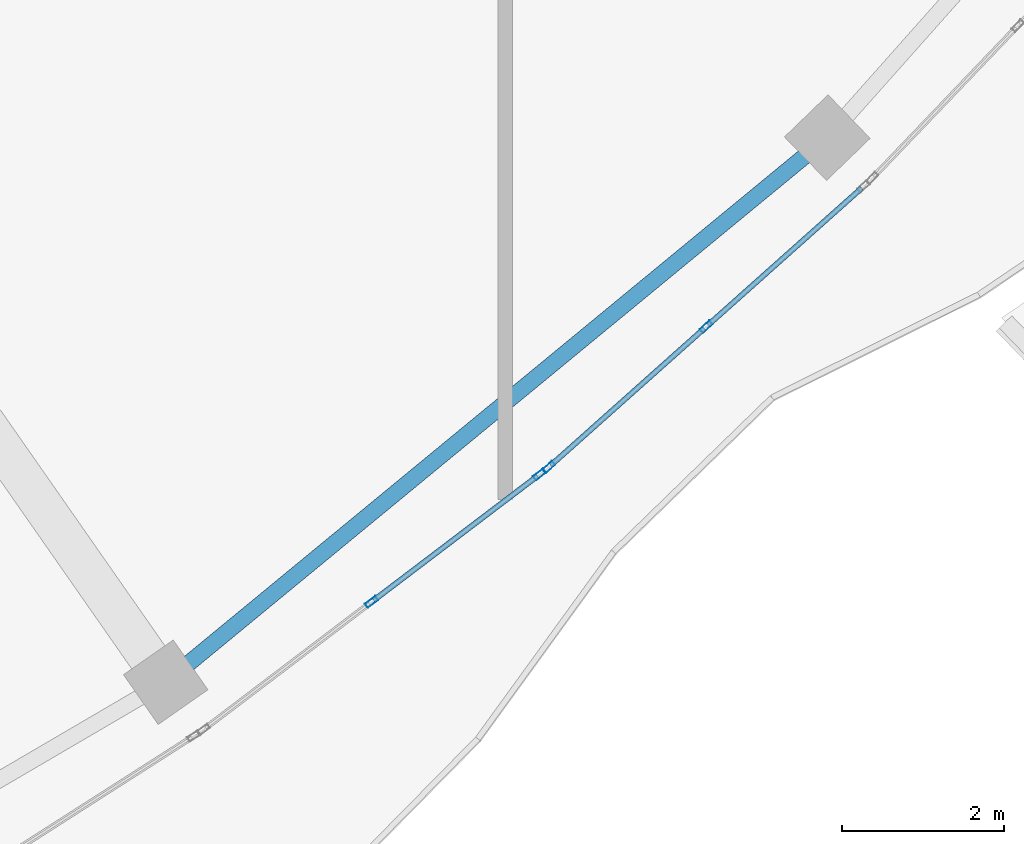
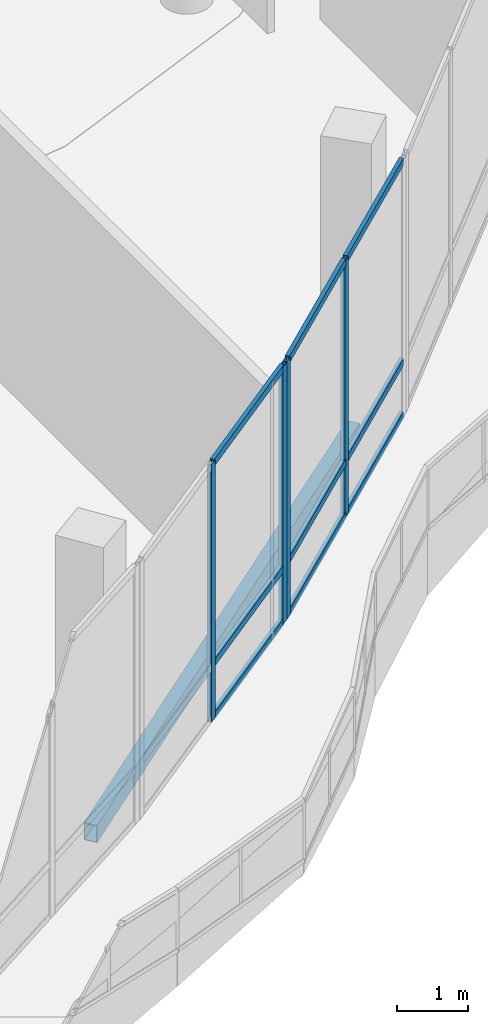
# One storey, part 50 of 168: 13 members, 1 beam, 2 elements without a shape of their own.
"""IFC4 building model written with IfcOpenShell, lengths in metres."""

from ifc_helpers import new_model, si_unit, direction, frame, origin, origin_2d, place, context, subcontext, project, spatial, hollow_rectangle, extrude, material, material_profile, profile_set, type_object, element, aggregate, save


model = new_model("IFC4")

# Units and contexts
model_context = context("Model", 3, precision=1e-05, world=origin(), true_north=direction((0.0, 1.0)))
body_context = subcontext(model_context, "Body", "Model", "MODEL_VIEW")
ifc_project = project(units=[si_unit("LENGTHUNIT", "METRE"), si_unit("AREAUNIT", "SQUARE_METRE"), si_unit("VOLUMEUNIT", "CUBIC_METRE"), si_unit("PLANEANGLEUNIT", "RADIAN"), si_unit("MASSUNIT", "GRAM", prefix="KILO")], contexts=[model_context])

# Site, building, storey
site_placement = place(None, origin())
site = spatial("IfcSite", under=ifc_project, at=site_placement, CompositionType="ELEMENT")
building_placement = place(site_placement, origin())
building = spatial("IfcBuilding", under=site, at=building_placement, Name="Selatvlak General Hospital", CompositionType="ELEMENT")
storey_placement = place(building_placement, frame((0.0, 0.0, 5.39990234375)))
storey = spatial("IfcBuildingStorey", under=building, at=storey_placement, Name="L01", CompositionType="ELEMENT", Elevation=5.39990234375)

# Beam
ifc_material_1 = material(Name="Steel S355", Category="steel")
ifc_material_profile_1 = material_profile(ifc_material_1, hollow_rectangle(XDim=0.199951171875, YDim=0.300048828125, WallThickness=0.011962890625, at=origin_2d()), Name="RHS 300x200x12")
ifc_profile_set_1 = profile_set([ifc_material_profile_1], Name="Steel S355")
beam_type = type_object("IfcBeamType", Name="BM-SP3", PredefinedType="SPANDREL", material=ifc_profile_set_1)
beam_placement = place(storey_placement, frame((94.195068359375, 24.757080078125, -0.469970703125), z_axis=(0.772071758835, 0.635535364248, 0.0), x_axis=(-0.635535364248, 0.772071758835, 0.0)))
element("IfcBeam", 1, at=beam_placement, inside=storey, type_object=beam_type, Name="Beam BMR-L01-0757", PredefinedType="SPANDREL", context=body_context, shape_type="SweptSolid", body=[
    extrude(hollow_rectangle(XDim=0.199951171875, YDim=0.300048828125, WallThickness=0.011962890625, at=origin_2d()), origin(), (0.0, 0.0, 1.0), 10.605224609375),
])

# Curtain wall, members
ifc_material_2 = material(Name="Solar-control Low-E double glazing", Category="glass")
curtain_wall_type_1 = type_object("IfcCurtainWallType", Name="CW-CW-02", PredefinedType="USERDEFINED", material=ifc_material_2)
curtain_wall_1_placement = place(storey_placement, origin())
curtain_wall_1 = element("IfcCurtainWall", 2, at=curtain_wall_1_placement, inside=storey, type_object=curtain_wall_type_1, Name="Glazed facade curtain wall CW-L01-0166", ObjectType="UNITISED CURTAIN WALL", PredefinedType="USERDEFINED")
ifc_material_3 = material(Name="Dark anodised aluminium mullion", Category="aluminium")
ifc_material_profile_2 = material_profile(ifc_material_3, hollow_rectangle(XDim=0.06494140625, YDim=0.159912109375, WallThickness=0.00390625, at=origin_2d()), Name="AL-MUL 65x160x4")
ifc_profile_set_2 = profile_set([ifc_material_profile_2], Name="Dark anodised aluminium mullion")
member_type_1 = type_object("IfcMemberType", Name="CWM-01", PredefinedType="MULLION", material=ifc_profile_set_2)
member_1_placement = place(storey_placement, frame((100.884521484375, 29.156982421875, 0.0), z_axis=(0.0, 0.0, 1.0), x_axis=(0.665560736735, -0.746343691417, 0.0)))
member_1 = element("IfcMember", 3, at=member_1_placement, type_object=member_type_1, Name="CW-02 mullion 2", PredefinedType="MULLION", context=body_context, shape_type="SweptSolid", body=[
    extrude(hollow_rectangle(XDim=0.06494140625, YDim=0.159912109375, WallThickness=0.00390625, at=origin_2d()), origin(), (0.0, 0.0, 1.0), 4.445068359375),
])
member_2_placement = place(storey_placement, frame((98.936279296875, 27.419677734375, 0.0), z_axis=(0.0, 0.0, 1.0), x_axis=(0.665560736735, -0.746343691417, 0.0)))
member_2 = element("IfcMember", 4, at=member_2_placement, type_object=member_type_1, Name="CW-02 mullion 3", PredefinedType="MULLION", context=body_context, shape_type="SweptSolid", body=[
    extrude(hollow_rectangle(XDim=0.06494140625, YDim=0.159912109375, WallThickness=0.00390625, at=origin_2d()), origin(), (0.0, 0.0, 1.0), 4.445068359375),
])

curtain_wall_type_2 = type_object("IfcCurtainWallType", Name="CW-CW-01", PredefinedType="USERDEFINED", material=ifc_material_2)
curtain_wall_2_placement = place(storey_placement, origin())
curtain_wall_2 = element("IfcCurtainWall", 5, at=curtain_wall_2_placement, inside=storey, type_object=curtain_wall_type_2, Name="Glazed facade curtain wall CW-L01-0167", ObjectType="UNITISED CURTAIN WALL", PredefinedType="USERDEFINED")
member_3_placement = place(storey_placement, frame((98.822998046875, 27.329345703125, 0.0), z_axis=(0.0, 0.0, 1.0), x_axis=(0.60458927489, -0.796537386874, 0.0)))
member_3 = element("IfcMember", 6, at=member_3_placement, type_object=member_type_1, Name="CW-01 mullion 1", PredefinedType="MULLION", context=body_context, shape_type="SweptSolid", body=[
    extrude(hollow_rectangle(XDim=0.06494140625, YDim=0.159912109375, WallThickness=0.00390625, at=origin_2d()), origin(), (0.0, 0.0, 1.0), 4.445068359375),
])
member_4_placement = place(storey_placement, frame((96.742919921875, 25.75048828125, 0.0), z_axis=(0.0, 0.0, 1.0), x_axis=(0.60458927489, -0.796537386874, 0.0)))
member_4 = element("IfcMember", 7, at=member_4_placement, type_object=member_type_1, Name="CW-01 mullion 2", PredefinedType="MULLION", context=body_context, shape_type="SweptSolid", body=[
    extrude(hollow_rectangle(XDim=0.06494140625, YDim=0.159912109375, WallThickness=0.00390625, at=origin_2d()), origin(), (0.0, 0.0, 1.0), 4.445068359375),
])

# Member
ifc_material_profile_3 = material_profile(ifc_material_3, hollow_rectangle(XDim=0.06494140625, YDim=0.1201171875, WallThickness=0.00390625, at=origin_2d()), Name="AL-TRN 65x120x4")
ifc_profile_set_3 = profile_set([ifc_material_profile_3], Name="Dark anodised aluminium mullion")
member_type_2 = type_object("IfcMemberType", Name="CWT-01", PredefinedType="USERDEFINED", material=ifc_profile_set_3)
member_5_placement = place(storey_placement, frame((102.80859375, 30.872802734375, 0.03271484375), z_axis=(-0.746376551061, -0.665523886894, 0.0), x_axis=(0.665523886894, -0.746376551061, 0.0)))
member_5 = element("IfcMember", 8, at=member_5_placement, type_object=member_type_2, Name="CW-02 transom 1.1", ObjectType="TRANSOM", PredefinedType="USERDEFINED", context=body_context, shape_type="SweptSolid", body=[
    extrude(hollow_rectangle(XDim=0.06494140625, YDim=0.1201171875, WallThickness=0.00390625, at=origin_2d()), origin(), (0.0, 0.0, 1.0), 2.54541015625),
])

member_6_placement = place(storey_placement, frame((102.80859375, 30.872802734375, 0.9501953125), z_axis=(-0.746376551061, -0.665523886894, 0.0), x_axis=(0.665523886894, -0.746376551061, 0.0)))
member_6 = element("IfcMember", 9, at=member_6_placement, type_object=member_type_2, Name="CW-02 transom 1.2", ObjectType="TRANSOM", PredefinedType="USERDEFINED", context=body_context, shape_type="SweptSolid", body=[
    extrude(hollow_rectangle(XDim=0.06494140625, YDim=0.1201171875, WallThickness=0.00390625, at=origin_2d()), origin(), (0.0, 0.0, 1.0), 2.54541015625),
])

member_7_placement = place(storey_placement, frame((102.80859375, 30.872802734375, 4.41259765625), z_axis=(-0.746376551061, -0.665523886894, 0.0), x_axis=(0.665523886894, -0.746376551061, 0.0)))
member_7 = element("IfcMember", 10, at=member_7_placement, type_object=member_type_2, Name="CW-02 transom 1.3", ObjectType="TRANSOM", PredefinedType="USERDEFINED", context=body_context, shape_type="SweptSolid", body=[
    extrude(hollow_rectangle(XDim=0.06494140625, YDim=0.1201171875, WallThickness=0.00390625, at=origin_2d()), origin(), (0.0, 0.0, 1.0), 2.54541015625),
])

member_8_placement = place(storey_placement, frame((100.8603515625, 29.13525390625, 0.03271484375), z_axis=(-0.746376551061, -0.665523886894, 0.0), x_axis=(0.665523886894, -0.746376551061, 0.0)))
member_8 = element("IfcMember", 11, at=member_8_placement, type_object=member_type_2, Name="CW-02 transom 2.1", ObjectType="TRANSOM", PredefinedType="USERDEFINED", context=body_context, shape_type="SweptSolid", body=[
    extrude(hollow_rectangle(XDim=0.06494140625, YDim=0.1201171875, WallThickness=0.00390625, at=origin_2d()), origin(), (0.0, 0.0, 1.0), 2.54541015625),
])

member_9_placement = place(storey_placement, frame((100.8603515625, 29.13525390625, 0.9501953125), z_axis=(-0.746376551061, -0.665523886894, 0.0), x_axis=(0.665523886894, -0.746376551061, 0.0)))
member_9 = element("IfcMember", 12, at=member_9_placement, type_object=member_type_2, Name="CW-02 transom 2.2", ObjectType="TRANSOM", PredefinedType="USERDEFINED", context=body_context, shape_type="SweptSolid", body=[
    extrude(hollow_rectangle(XDim=0.06494140625, YDim=0.1201171875, WallThickness=0.00390625, at=origin_2d()), origin(), (0.0, 0.0, 1.0), 2.54541015625),
])

member_10_placement = place(storey_placement, frame((100.8603515625, 29.13525390625, 4.41259765625), z_axis=(-0.746376551061, -0.665523886894, 0.0), x_axis=(0.665523886894, -0.746376551061, 0.0)))
member_10 = element("IfcMember", 13, at=member_10_placement, type_object=member_type_2, Name="CW-02 transom 2.3", ObjectType="TRANSOM", PredefinedType="USERDEFINED", context=body_context, shape_type="SweptSolid", body=[
    extrude(hollow_rectangle(XDim=0.06494140625, YDim=0.1201171875, WallThickness=0.00390625, at=origin_2d()), origin(), (0.0, 0.0, 1.0), 2.54541015625),
])

aggregate(curtain_wall_1, [member_1, member_2, member_5, member_6, member_7, member_8, member_9, member_10])

member_11_placement = place(storey_placement, frame((98.797119140625, 27.309814453125, 0.03271484375), z_axis=(-0.796535238332, -0.604592105552, 0.0), x_axis=(0.604592105552, -0.796535238332, 0.0)))
member_11 = element("IfcMember", 14, at=member_11_placement, type_object=member_type_2, Name="CW-01 transom 1.1", ObjectType="TRANSOM", PredefinedType="USERDEFINED", context=body_context, shape_type="SweptSolid", body=[
    extrude(hollow_rectangle(XDim=0.06494140625, YDim=0.1201171875, WallThickness=0.00390625, at=origin_2d()), origin(), (0.0, 0.0, 1.0), 2.54638671875),
])

member_12_placement = place(storey_placement, frame((98.797119140625, 27.309814453125, 0.9501953125), z_axis=(-0.796535238332, -0.604592105552, 0.0), x_axis=(0.604592105552, -0.796535238332, 0.0)))
member_12 = element("IfcMember", 15, at=member_12_placement, type_object=member_type_2, Name="CW-01 transom 1.2", ObjectType="TRANSOM", PredefinedType="USERDEFINED", context=body_context, shape_type="SweptSolid", body=[
    extrude(hollow_rectangle(XDim=0.06494140625, YDim=0.1201171875, WallThickness=0.00390625, at=origin_2d()), origin(), (0.0, 0.0, 1.0), 2.54638671875),
])

member_13_placement = place(storey_placement, frame((98.797119140625, 27.309814453125, 4.41259765625), z_axis=(-0.796535238332, -0.604592105552, 0.0), x_axis=(0.604592105552, -0.796535238332, 0.0)))
member_13 = element("IfcMember", 16, at=member_13_placement, type_object=member_type_2, Name="CW-01 transom 1.3", ObjectType="TRANSOM", PredefinedType="USERDEFINED", context=body_context, shape_type="SweptSolid", body=[
    extrude(hollow_rectangle(XDim=0.06494140625, YDim=0.1201171875, WallThickness=0.00390625, at=origin_2d()), origin(), (0.0, 0.0, 1.0), 2.54638671875),
])

aggregate(curtain_wall_2, [member_3, member_4, member_11, member_12, member_13])

save(model, "model.ifc")
